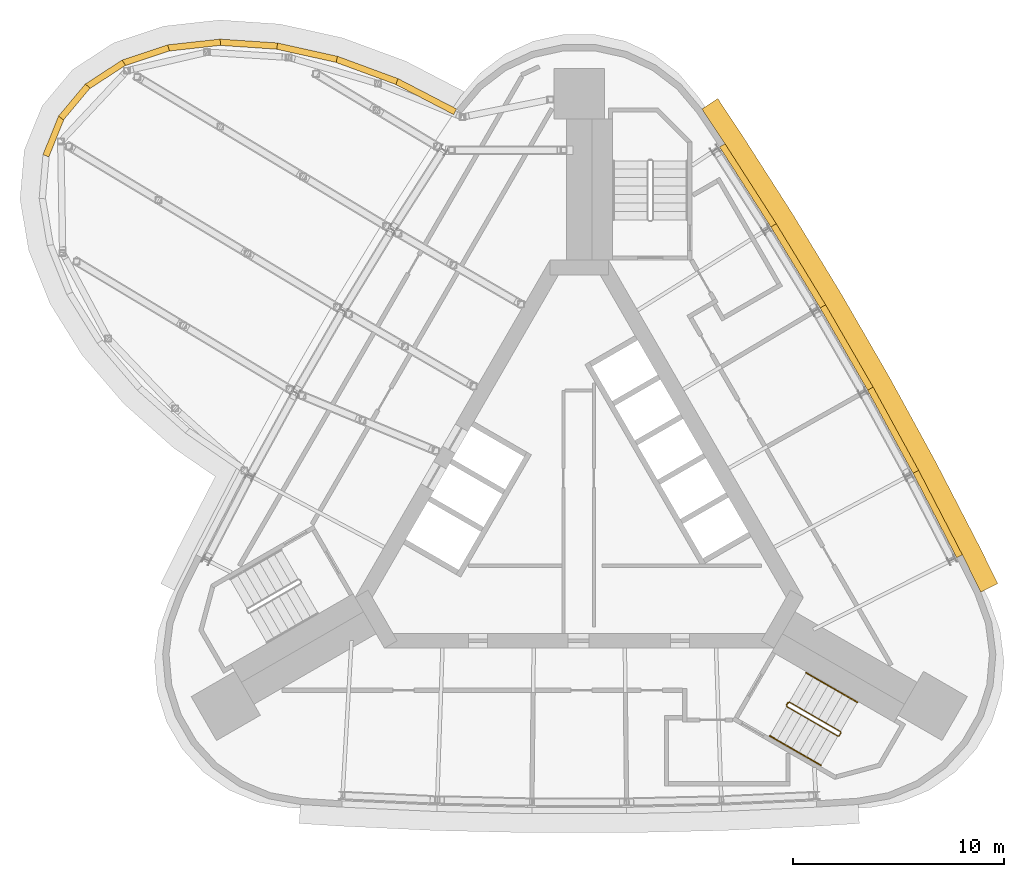
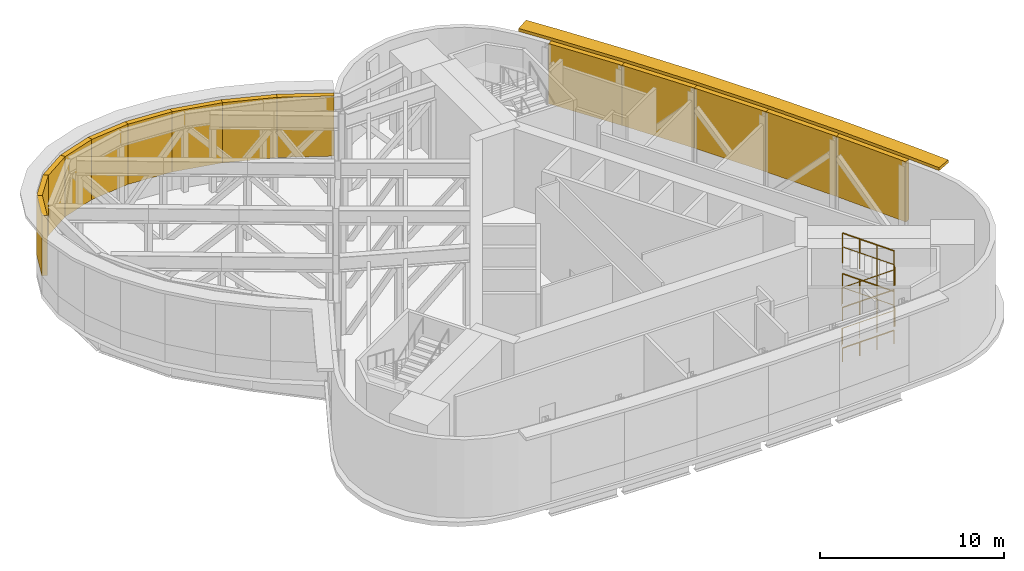
# One storey, part 11 of 11: 15 shading devices, 5 railings.
"""IFC4 building model written with IfcOpenShell, lengths in metres."""

from ifc_helpers import new_model, si_unit, direction, frame, origin, origin_2d, place, context, subcontext, project, spatial, polyline, circle, outline, extrude, material, type_object, element, save


model = new_model("IFC4")

# Units and contexts
model_context = context("Model", 3, precision=1e-05, world=origin(), true_north=direction((0.0, 1.0)))
body_context = subcontext(model_context, "Body", "Model", "MODEL_VIEW")
ifc_project = project(units=[si_unit("LENGTHUNIT", "METRE"), si_unit("AREAUNIT", "SQUARE_METRE"), si_unit("VOLUMEUNIT", "CUBIC_METRE"), si_unit("PLANEANGLEUNIT", "RADIAN"), si_unit("MASSUNIT", "GRAM", prefix="KILO")], contexts=[model_context])

# Site, building, storey
site_placement = place(None, origin())
site = spatial("IfcSite", under=ifc_project, at=site_placement, CompositionType="ELEMENT")
building_placement = place(site_placement, origin())
building = spatial("IfcBuilding", under=site, at=building_placement, Name="Noor Cloister Tower", CompositionType="ELEMENT")
storey_placement = place(building_placement, frame((0.0, 0.0, 258.0)))
storey = spatial("IfcBuildingStorey", under=building, at=storey_placement, Name="L66", CompositionType="ELEMENT", Elevation=258.0)

# Shading devices
ifc_material_1 = material(Name="Aluminium 6063-T6 anodised", Category="aluminium")
shading_device_type_1 = type_object("IfcShadingDeviceType", Name="LOUVRE plant air 40 percent free", PredefinedType="USERDEFINED", material=ifc_material_1)
shading_device_1_placement = place(storey_placement, frame((0.0, 0.0, 1.199951171875)))
element("IfcShadingDevice", 1, at=shading_device_1_placement, inside=storey, type_object=shading_device_type_1, Name="LOUVRE L66 1.1", ObjectType="LOUVRE", PredefinedType="USERDEFINED", context=body_context, shape_type="SweptSolid", body=[
    extrude(outline(polyline([(-5.809814453125, 18.609619140625), (-8.585205078125, 20.05078125), (-8.7236328125, 19.784423828125), (-5.947998046875, 18.34326171875), (-5.809814453125, 18.609619140625)])), origin(), (0.0, 0.0, 1.0), 4.0),
])
shading_device_2_placement = place(storey_placement, frame((0.0, 0.0, 1.199951171875)))
element("IfcShadingDevice", 2, at=shading_device_2_placement, inside=storey, type_object=shading_device_type_1, Name="LOUVRE L66 1.2", ObjectType="LOUVRE", PredefinedType="USERDEFINED", context=body_context, shape_type="SweptSolid", body=[
    extrude(outline(polyline([(-8.585205078125, 20.05078125), (-11.451416015625, 21.107421875), (-11.55517578125, 20.825927734375), (-8.68896484375, 19.769287109375), (-8.585205078125, 20.05078125)])), origin(), (0.0, 0.0, 1.0), 4.0),
])
shading_device_3_placement = place(storey_placement, frame((0.0, 0.0, 1.199951171875)))
element("IfcShadingDevice", 3, at=shading_device_3_placement, inside=storey, type_object=shading_device_type_1, Name="LOUVRE L66 1.3", ObjectType="LOUVRE", PredefinedType="USERDEFINED", context=body_context, shape_type="SweptSolid", body=[
    extrude(outline(polyline([(-11.451416015625, 21.107421875), (-14.298095703125, 21.7392578125), (-14.363037109375, 21.446533203125), (-11.516357421875, 20.814697265625), (-11.451416015625, 21.107421875)])), origin(), (0.0, 0.0, 1.0), 4.0),
])
shading_device_4_placement = place(storey_placement, frame((0.0, 0.0, 1.199951171875)))
element("IfcShadingDevice", 4, at=shading_device_4_placement, inside=storey, type_object=shading_device_type_1, Name="LOUVRE L66 1.4", ObjectType="LOUVRE", PredefinedType="USERDEFINED", context=body_context, shape_type="SweptSolid", body=[
    extrude(outline(polyline([(-14.298095703125, 21.7392578125), (-17.015869140625, 21.921875), (-17.035888671875, 21.62255859375), (-14.318115234375, 21.43994140625), (-14.298095703125, 21.7392578125)])), origin(), (0.0, 0.0, 1.0), 4.0),
])
shading_device_5_placement = place(storey_placement, frame((0.0, 0.0, 1.199951171875)))
element("IfcShadingDevice", 5, at=shading_device_5_placement, inside=storey, type_object=shading_device_type_1, Name="LOUVRE L66 1.5", ObjectType="LOUVRE", PredefinedType="USERDEFINED", context=body_context, shape_type="SweptSolid", body=[
    extrude(outline(polyline([(-17.015869140625, 21.921875), (-19.500244140625, 21.6484375), (-19.46728515625, 21.35009765625), (-16.98291015625, 21.623779296875), (-17.015869140625, 21.921875)])), origin(), (0.0, 0.0, 1.0), 4.0),
])
shading_device_6_placement = place(storey_placement, frame((0.0, 0.0, 1.199951171875)))
element("IfcShadingDevice", 6, at=shading_device_6_placement, inside=storey, type_object=shading_device_type_1, Name="LOUVRE L66 1.6", ObjectType="LOUVRE", PredefinedType="USERDEFINED", context=body_context, shape_type="SweptSolid", body=[
    extrude(outline(polyline([(-19.500244140625, 21.6484375), (-21.65576171875, 20.928955078125), (-21.560791015625, 20.64453125), (-19.4052734375, 21.36376953125), (-19.500244140625, 21.6484375)])), origin(), (0.0, 0.0, 1.0), 4.0),
])
shading_device_7_placement = place(storey_placement, frame((0.0, 0.0, 1.199951171875)))
element("IfcShadingDevice", 7, at=shading_device_7_placement, inside=storey, type_object=shading_device_type_1, Name="LOUVRE L66 1.7", ObjectType="LOUVRE", PredefinedType="USERDEFINED", context=body_context, shape_type="SweptSolid", body=[
    extrude(outline(polyline([(-21.65576171875, 20.928955078125), (-23.399658203125, 19.79150390625), (-23.23583984375, 19.540283203125), (-21.491943359375, 20.677734375), (-21.65576171875, 20.928955078125)])), origin(), (0.0, 0.0, 1.0), 4.0),
])
shading_device_8_placement = place(storey_placement, frame((0.0, 0.0, 1.199951171875)))
element("IfcShadingDevice", 8, at=shading_device_8_placement, inside=storey, type_object=shading_device_type_1, Name="LOUVRE L66 1.8", ObjectType="LOUVRE", PredefinedType="USERDEFINED", context=body_context, shape_type="SweptSolid", body=[
    extrude(outline(polyline([(-23.399658203125, 19.79150390625), (-24.6650390625, 18.27978515625), (-24.43505859375, 18.087158203125), (-23.169677734375, 19.59912109375), (-23.399658203125, 19.79150390625)])), origin(), (0.0, 0.0, 1.0), 4.0),
])
shading_device_9_placement = place(storey_placement, frame((0.0, 0.0, 1.199951171875)))
element("IfcShadingDevice", 9, at=shading_device_9_placement, inside=storey, type_object=shading_device_type_1, Name="LOUVRE L66 1.9", ObjectType="LOUVRE", PredefinedType="USERDEFINED", context=body_context, shape_type="SweptSolid", body=[
    extrude(outline(polyline([(-24.6650390625, 18.27978515625), (-25.403076171875, 16.45166015625), (-25.124755859375, 16.33935546875), (-24.386962890625, 18.16748046875), (-24.6650390625, 18.27978515625)])), origin(), (0.0, 0.0, 1.0), 4.0),
])
shading_device_10_placement = place(storey_placement, frame((0.0, 0.0, 1.199951171875)))
element("IfcShadingDevice", 10, at=shading_device_10_placement, inside=storey, type_object=shading_device_type_1, Name="LOUVRE L66 4.1", ObjectType="LOUVRE", PredefinedType="USERDEFINED", context=body_context, shape_type="SweptSolid", body=[
    extrude(outline(polyline([(18.14501953125, -2.507080078125), (16.078125, 1.489990234375), (15.811767578125, 1.352294921875), (17.87841796875, -2.644775390625), (18.14501953125, -2.507080078125)])), origin(), (0.0, 0.0, 1.0), 4.0),
])
shading_device_11_placement = place(storey_placement, frame((0.0, 0.0, 1.199951171875)))
element("IfcShadingDevice", 11, at=shading_device_11_placement, inside=storey, type_object=shading_device_type_1, Name="LOUVRE L66 4.2", ObjectType="LOUVRE", PredefinedType="USERDEFINED", context=body_context, shape_type="SweptSolid", body=[
    extrude(outline(polyline([(16.078125, 1.489990234375), (13.919189453125, 5.438232421875), (13.656005859375, 5.294189453125), (15.81494140625, 1.34619140625), (16.078125, 1.489990234375)])), origin(), (0.0, 0.0, 1.0), 4.0),
])
shading_device_12_placement = place(storey_placement, frame((0.0, 0.0, 1.199951171875)))
element("IfcShadingDevice", 12, at=shading_device_12_placement, inside=storey, type_object=shading_device_type_1, Name="LOUVRE L66 4.3", ObjectType="LOUVRE", PredefinedType="USERDEFINED", context=body_context, shape_type="SweptSolid", body=[
    extrude(outline(polyline([(13.919189453125, 5.438232421875), (11.669189453125, 9.335205078125), (11.409423828125, 9.185302734375), (13.659423828125, 5.288330078125), (13.919189453125, 5.438232421875)])), origin(), (0.0, 0.0, 1.0), 4.0),
])
shading_device_13_placement = place(storey_placement, frame((0.0, 0.0, 1.199951171875)))
element("IfcShadingDevice", 13, at=shading_device_13_placement, inside=storey, type_object=shading_device_type_1, Name="LOUVRE L66 4.4", ObjectType="LOUVRE", PredefinedType="USERDEFINED", context=body_context, shape_type="SweptSolid", body=[
    extrude(outline(polyline([(11.669189453125, 9.335205078125), (9.32958984375, 13.178955078125), (9.0732421875, 13.02294921875), (11.4130859375, 9.17919921875), (11.669189453125, 9.335205078125)])), origin(), (0.0, 0.0, 1.0), 4.0),
])
shading_device_14_placement = place(storey_placement, frame((0.0, 0.0, 1.199951171875)))
element("IfcShadingDevice", 14, at=shading_device_14_placement, inside=storey, type_object=shading_device_type_1, Name="LOUVRE L66 4.5", ObjectType="LOUVRE", PredefinedType="USERDEFINED", context=body_context, shape_type="SweptSolid", body=[
    extrude(outline(polyline([(9.32958984375, 13.178955078125), (6.9013671875, 16.967529296875), (6.648681640625, 16.8056640625), (9.076904296875, 13.01708984375), (9.32958984375, 13.178955078125)])), origin(), (0.0, 0.0, 1.0), 4.0),
])
ifc_material_2 = material(Name="Limestone", Category="masonry")
shading_device_type_2 = type_object("IfcShadingDeviceType", Name="SUNSHADE limestone band 900", PredefinedType="USERDEFINED", material=ifc_material_2)
shading_device_15_placement = place(storey_placement, frame((0.0, 0.0, 5.199951171875)))
element("IfcShadingDevice", 15, at=shading_device_15_placement, inside=storey, type_object=shading_device_type_2, Name="SUNSHADE L66 3", ObjectType="SUNSHADE", PredefinedType="USERDEFINED", context=body_context, shape_type="SweptSolid", body=[
    extrude(outline(polyline([(19.827392578125, -3.873291015625), (18.947998046875, -2.100341796875), (16.872802734375, 1.91259765625), (14.703857421875, 5.879150390625), (12.443359375, 9.794189453125), (10.0927734375, 13.656005859375), (7.655029296875, 17.45947265625), (6.559326171875, 19.10791015625), (5.809814453125, 18.609619140625), (6.9013671875, 16.967529296875), (9.32958984375, 13.178955078125), (11.669189453125, 9.335205078125), (13.919189453125, 5.438232421875), (16.078125, 1.489990234375), (18.14501953125, -2.507080078125), (19.021240234375, -4.2734375), (19.827392578125, -3.873291015625)])), origin(), (0.0, 0.0, 1.0), 0.199951171875),
])

# Railings
ifc_material_3 = material(Name="Stainless steel", Category="steel")
railing_type_1 = type_object("IfcRailingType", Name="Stair guard 1100", PredefinedType="GUARDRAIL", material=ifc_material_3)
railing_1_placement = place(storey_placement, frame((9.805908203125, -9.628662109375, 0.0)))
element("IfcRailing", 16, at=railing_1_placement, inside=storey, type_object=railing_type_1, Name="Stair guard ST3 L66", PredefinedType="GUARDRAIL", context=body_context, shape_type="SweptSolid", body=[
    extrude(circle(Radius=0.02392578125, at=origin_2d()), frame((0.0, 0.0, 1.076171875), z_axis=(0.499112439033, 0.866537231285, 0.0), x_axis=(-0.866537231285, 0.499112439033, 0.0)), (0.0, 0.0, 1.0), 0.150146484375),
    extrude(circle(Radius=0.02392578125, at=origin_2d()), frame((0.074951171875, 0.130126953125, 1.076171875), z_axis=(-0.212616081131, -0.744156283958, 0.633266000264), x_axis=(0.961523947641, -0.274721127897, 0.0)), (0.0, 0.0, 1.0), 0.266357421875),
    extrude(circle(Radius=0.02392578125, at=origin_2d()), frame((0.018310546875, -0.068115234375, 1.24462890625), z_axis=(0.79788415668, -0.460719456158, 0.388739572511), x_axis=(0.500049511043, 0.865996816683, 0.0)), (0.0, 0.0, 1.0), 3.0390625),
    extrude(circle(Radius=0.02392578125, at=origin_2d()), frame((2.443115234375, -1.46826171875, 2.42626953125), z_axis=(0.965948051503, 0.258736085224, 0.0), x_axis=(-0.258736085224, 0.965948051503, 0.0)), (0.0, 0.0, 1.0), 0.07080078125),
    extrude(circle(Radius=0.02392578125, at=origin_2d()), frame((2.511474609375, -1.449951171875, 2.42626953125), z_axis=(0.499816412211, 0.866131372301, 0.0), x_axis=(-0.866131372301, 0.499816412211, 0.0)), (0.0, 0.0, 1.0), 0.14990234375),
    extrude(circle(Radius=0.02392578125, at=origin_2d()), frame((2.58642578125, -1.320068359375, 2.42626953125), z_axis=(-0.100088472829, 0.373663631894, 0.922148462996), x_axis=(-0.965948051503, -0.258736085224, 0.0)), (0.0, 0.0, 1.0), 0.182861328125),
    extrude(circle(Radius=0.02392578125, at=origin_2d()), frame((2.568115234375, -1.251708984375, 2.5947265625), z_axis=(-0.79793860554, 0.460670556199, 0.388685760532), x_axis=(-0.49998411664, -0.866034573852, 0.0)), (0.0, 0.0, 1.0), 3.038818359375),
    extrude(circle(Radius=0.02392578125, at=origin_2d()), frame((0.143310546875, 0.148193359375, 3.77587890625), z_axis=(-0.695164929852, -0.718850276695, 0.0), x_axis=(0.718850276695, -0.695164929852, 0.0)), (0.0, 0.0, 1.0), 0.2060546875),
    extrude(circle(Radius=0.02392578125, at=origin_2d()), frame((0.0, 0.0, 3.77587890625), z_axis=(0.499112439033, 0.866537231285, 0.0), x_axis=(-0.866537231285, 0.499112439033, 0.0)), (0.0, 0.0, 1.0), 0.150146484375),
    extrude(circle(Radius=0.02392578125, at=origin_2d()), frame((0.074951171875, 0.130126953125, 3.77587890625), z_axis=(-0.212616081131, -0.744156283958, 0.633266000264), x_axis=(0.961523947641, -0.274721127897, 0.0)), (0.0, 0.0, 1.0), 0.266357421875),
    extrude(circle(Radius=0.02392578125, at=origin_2d()), frame((0.018310546875, -0.068115234375, 3.94482421875), z_axis=(0.79788415668, -0.460719456158, 0.388739572511), x_axis=(0.500049511043, 0.865996816683, 0.0)), (0.0, 0.0, 1.0), 3.0390625),
    extrude(circle(Radius=0.02392578125, at=origin_2d()), frame((2.443115234375, -1.46826171875, 5.1259765625), z_axis=(0.965948051503, 0.258736085224, 0.0), x_axis=(-0.258736085224, 0.965948051503, 0.0)), (0.0, 0.0, 1.0), 0.07080078125),
    extrude(circle(Radius=0.02392578125, at=origin_2d()), frame((2.511474609375, -1.449951171875, 5.1259765625), z_axis=(0.499816412211, 0.866131372301, 0.0), x_axis=(-0.866131372301, 0.499816412211, 0.0)), (0.0, 0.0, 1.0), 0.14990234375),
    extrude(circle(Radius=0.02392578125, at=origin_2d()), frame((2.58642578125, -1.320068359375, 5.1259765625), z_axis=(-0.100088472829, 0.373663631894, 0.922148462996), x_axis=(-0.965948051503, -0.258736085224, 0.0)), (0.0, 0.0, 1.0), 0.182861328125),
    extrude(circle(Radius=0.02392578125, at=origin_2d()), frame((2.568115234375, -1.251708984375, 5.294921875), z_axis=(-0.79793860554, 0.460670556199, 0.388685760532), x_axis=(-0.49998411664, -0.866034573852, 0.0)), (0.0, 0.0, 1.0), 3.038818359375),
    extrude(circle(Radius=0.02099609375, at=origin_2d()), origin(), (0.0, 0.0, 1.0), 1.052001953125),
    extrude(circle(Radius=0.02099609375, at=origin_2d()), frame((0.074951171875, 0.130126953125, 0.0)), (0.0, 0.0, 1.0), 1.052001953125),
    extrude(circle(Radius=0.02099609375, at=origin_2d()), frame((0.018310546875, -0.068115234375, 0.168701171875)), (0.0, 0.0, 1.0), 1.052001953125),
    extrude(circle(Radius=0.02099609375, at=origin_2d()), frame((0.82666015625, -0.534912109375, 0.5625)), (0.0, 0.0, 1.0), 1.052001953125),
    extrude(circle(Radius=0.02099609375, at=origin_2d()), frame((1.634765625, -1.00146484375, 0.956298828125)), (0.0, 0.0, 1.0), 1.052001953125),
    extrude(circle(Radius=0.02099609375, at=origin_2d()), frame((2.443115234375, -1.46826171875, 1.35009765625)), (0.0, 0.0, 1.0), 1.052001953125),
    extrude(circle(Radius=0.02099609375, at=origin_2d()), frame((2.511474609375, -1.449951171875, 1.35009765625)), (0.0, 0.0, 1.0), 1.052001953125),
    extrude(circle(Radius=0.02099609375, at=origin_2d()), frame((2.58642578125, -1.320068359375, 1.35009765625)), (0.0, 0.0, 1.0), 1.052001953125),
    extrude(circle(Radius=0.02099609375, at=origin_2d()), frame((2.568115234375, -1.251708984375, 1.518798828125)), (0.0, 0.0, 1.0), 1.052001953125),
    extrude(circle(Radius=0.02099609375, at=origin_2d()), frame((1.759765625, -0.78515625, 1.91259765625)), (0.0, 0.0, 1.0), 1.052001953125),
    extrude(circle(Radius=0.02099609375, at=origin_2d()), frame((0.95166015625, -0.318359375, 2.30615234375)), (0.0, 0.0, 1.0), 1.052001953125),
    extrude(circle(Radius=0.02099609375, at=origin_2d()), frame((0.143310546875, 0.148193359375, 2.699951171875)), (0.0, 0.0, 1.0), 1.052001953125),
    extrude(circle(Radius=0.02099609375, at=origin_2d()), frame((0.0, 0.0, 2.699951171875)), (0.0, 0.0, 1.0), 1.052001953125),
    extrude(circle(Radius=0.02099609375, at=origin_2d()), frame((0.074951171875, 0.130126953125, 2.699951171875)), (0.0, 0.0, 1.0), 1.052001953125),
    extrude(circle(Radius=0.02099609375, at=origin_2d()), frame((0.018310546875, -0.068115234375, 2.86865234375)), (0.0, 0.0, 1.0), 1.052001953125),
    extrude(circle(Radius=0.02099609375, at=origin_2d()), frame((0.82666015625, -0.534912109375, 3.262451171875)), (0.0, 0.0, 1.0), 1.052001953125),
    extrude(circle(Radius=0.02099609375, at=origin_2d()), frame((1.634765625, -1.00146484375, 3.65625)), (0.0, 0.0, 1.0), 1.052001953125),
    extrude(circle(Radius=0.02099609375, at=origin_2d()), frame((2.443115234375, -1.46826171875, 4.050048828125)), (0.0, 0.0, 1.0), 1.052001953125),
    extrude(circle(Radius=0.02099609375, at=origin_2d()), frame((2.511474609375, -1.449951171875, 4.050048828125)), (0.0, 0.0, 1.0), 1.052001953125),
    extrude(circle(Radius=0.02099609375, at=origin_2d()), frame((2.58642578125, -1.320068359375, 4.050048828125)), (0.0, 0.0, 1.0), 1.052001953125),
    extrude(circle(Radius=0.02099609375, at=origin_2d()), frame((2.568115234375, -1.251708984375, 4.21875)), (0.0, 0.0, 1.0), 1.052001953125),
    extrude(circle(Radius=0.02099609375, at=origin_2d()), frame((1.759765625, -0.78515625, 4.612548828125)), (0.0, 0.0, 1.0), 1.052001953125),
    extrude(circle(Radius=0.02099609375, at=origin_2d()), frame((0.95166015625, -0.318359375, 5.006103515625)), (0.0, 0.0, 1.0), 1.052001953125),
    extrude(circle(Radius=0.02099609375, at=origin_2d()), frame((0.143310546875, 0.148193359375, 5.39990234375)), (0.0, 0.0, 1.0), 1.052001953125),
])
ifc_material_4 = material(Name="Stainless steel", Category="steel")
railing_type_2 = type_object("IfcRailingType", Name="Stair handrail 900", PredefinedType="HANDRAIL", material=ifc_material_4)
railing_2_placement = place(storey_placement, frame((9.024169921875, -11.08251953125, 0.168701171875)))
element("IfcRailing", 17, at=railing_2_placement, inside=storey, type_object=railing_type_2, Name="Stair handrail ST3 L66 1", PredefinedType="HANDRAIL", context=body_context, shape_type="SweptSolid", body=[
    extrude(circle(Radius=0.02392578125, at=origin_2d()), frame((0.0, 0.0, 0.8759765625), z_axis=(0.797913686838, -0.460656169989, 0.388753959989), x_axis=(0.49998411664, 0.866034573852, 0.0)), (0.0, 0.0, 1.0), 3.038818359375),
    extrude(circle(Radius=0.02099609375, at=origin_2d()), origin(), (0.0, 0.0, 1.0), 0.851806640625),
    extrude(circle(Radius=0.02099609375, at=origin_2d()), frame((0.808349609375, -0.466552734375, 0.393798828125)), (0.0, 0.0, 1.0), 0.851806640625),
    extrude(circle(Radius=0.02099609375, at=origin_2d()), frame((1.616455078125, -0.933349609375, 0.78759765625)), (0.0, 0.0, 1.0), 0.851806640625),
    extrude(circle(Radius=0.02099609375, at=origin_2d()), frame((2.4248046875, -1.39990234375, 1.181396484375)), (0.0, 0.0, 1.0), 0.851806640625),
])
railing_3_placement = place(storey_placement, frame((13.174072265625, -9.49462890625, 1.518798828125)))
element("IfcRailing", 18, at=railing_3_placement, inside=storey, type_object=railing_type_2, Name="Stair handrail ST3 L66 2", PredefinedType="HANDRAIL", context=body_context, shape_type="SweptSolid", body=[
    extrude(circle(Radius=0.02392578125, at=origin_2d()), frame((0.0, 0.0, 0.8759765625), z_axis=(-0.79793860554, 0.460670556199, 0.388685760532), x_axis=(-0.49998411664, -0.866034573852, 0.0)), (0.0, 0.0, 1.0), 3.038818359375),
    extrude(circle(Radius=0.02099609375, at=origin_2d()), origin(), (0.0, 0.0, 1.0), 0.851806640625),
    extrude(circle(Radius=0.02099609375, at=origin_2d()), frame((-0.808349609375, 0.466552734375, 0.393798828125)), (0.0, 0.0, 1.0), 0.851806640625),
    extrude(circle(Radius=0.02099609375, at=origin_2d()), frame((-1.616455078125, 0.933349609375, 0.787353515625)), (0.0, 0.0, 1.0), 0.851806640625),
    extrude(circle(Radius=0.02099609375, at=origin_2d()), frame((-2.4248046875, 1.39990234375, 1.18115234375)), (0.0, 0.0, 1.0), 0.851806640625),
])
railing_4_placement = place(storey_placement, frame((9.024169921875, -11.08251953125, 2.86865234375)))
element("IfcRailing", 19, at=railing_4_placement, inside=storey, type_object=railing_type_2, Name="Stair handrail ST3 L66 3", PredefinedType="HANDRAIL", context=body_context, shape_type="SweptSolid", body=[
    extrude(circle(Radius=0.02392578125, at=origin_2d()), frame((0.0, 0.0, 0.8759765625), z_axis=(0.797913686838, -0.460656169989, 0.388753959989), x_axis=(0.49998411664, 0.866034573852, 0.0)), (0.0, 0.0, 1.0), 3.038818359375),
    extrude(circle(Radius=0.02099609375, at=origin_2d()), origin(), (0.0, 0.0, 1.0), 0.851806640625),
    extrude(circle(Radius=0.02099609375, at=origin_2d()), frame((0.808349609375, -0.466552734375, 0.393798828125)), (0.0, 0.0, 1.0), 0.851806640625),
    extrude(circle(Radius=0.02099609375, at=origin_2d()), frame((1.616455078125, -0.933349609375, 0.78759765625)), (0.0, 0.0, 1.0), 0.851806640625),
    extrude(circle(Radius=0.02099609375, at=origin_2d()), frame((2.4248046875, -1.39990234375, 1.181396484375)), (0.0, 0.0, 1.0), 0.851806640625),
])
railing_5_placement = place(storey_placement, frame((13.174072265625, -9.49462890625, 4.21875)))
element("IfcRailing", 20, at=railing_5_placement, inside=storey, type_object=railing_type_2, Name="Stair handrail ST3 L66 4", PredefinedType="HANDRAIL", context=body_context, shape_type="SweptSolid", body=[
    extrude(circle(Radius=0.02392578125, at=origin_2d()), frame((0.0, 0.0, 0.8759765625), z_axis=(-0.79793860554, 0.460670556199, 0.388685760532), x_axis=(-0.49998411664, -0.866034573852, 0.0)), (0.0, 0.0, 1.0), 3.038818359375),
    extrude(circle(Radius=0.02099609375, at=origin_2d()), origin(), (0.0, 0.0, 1.0), 0.851806640625),
    extrude(circle(Radius=0.02099609375, at=origin_2d()), frame((-0.808349609375, 0.466552734375, 0.393798828125)), (0.0, 0.0, 1.0), 0.851806640625),
    extrude(circle(Radius=0.02099609375, at=origin_2d()), frame((-1.616455078125, 0.933349609375, 0.787353515625)), (0.0, 0.0, 1.0), 0.851806640625),
    extrude(circle(Radius=0.02099609375, at=origin_2d()), frame((-2.4248046875, 1.39990234375, 1.18115234375)), (0.0, 0.0, 1.0), 0.851806640625),
])

save(model, "model.ifc")
